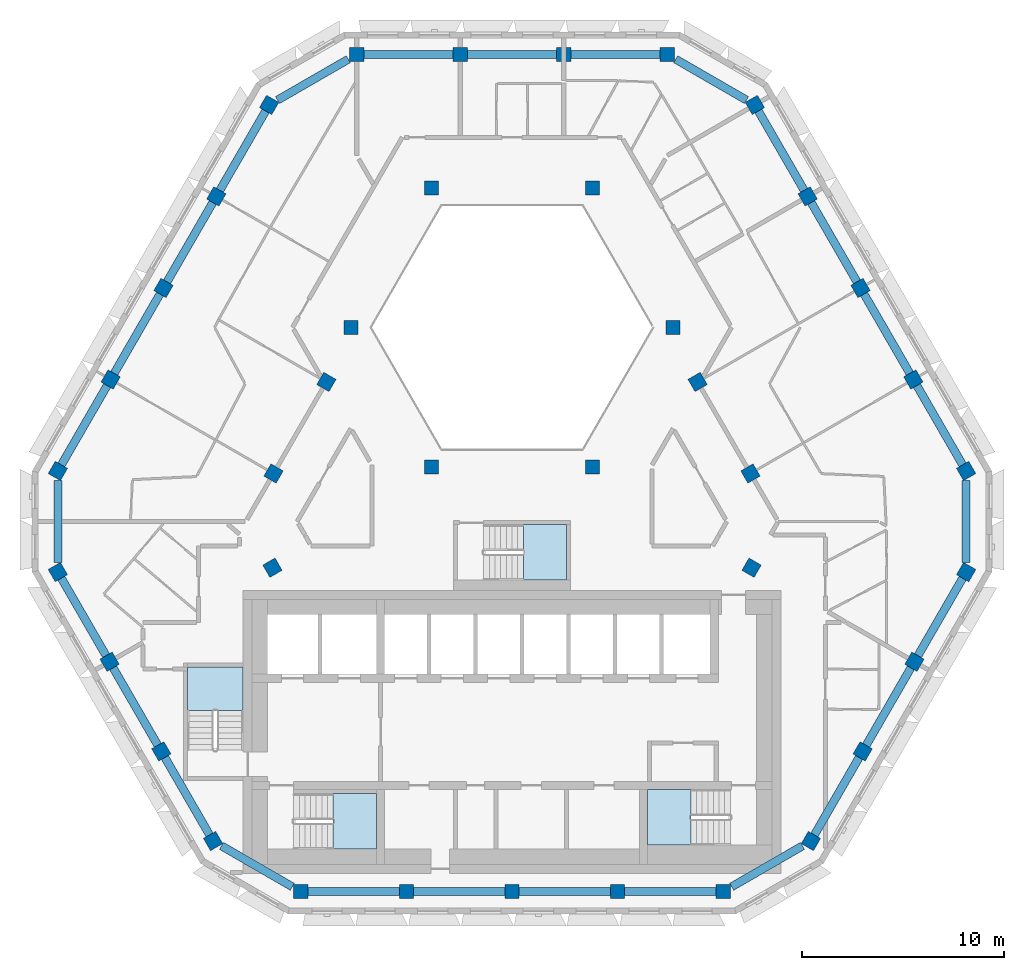
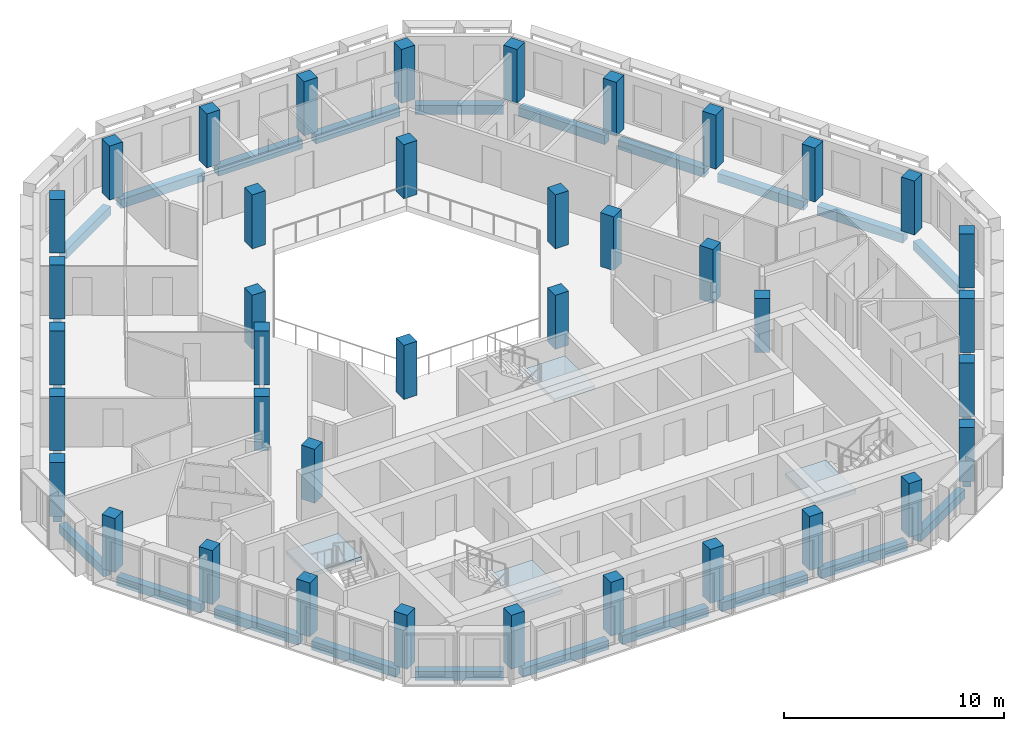
# One storey, part 1 of 16: 39 columns, 27 beams, 4 slabs, 4 elements without a shape of their own.
"""IFC4 building model written with IfcOpenShell, lengths in metres."""

from ifc_helpers import new_model, si_unit, direction, frame, origin, origin_2d, place, context, subcontext, project, spatial, polyline, rectangle, outline, extrude, material, layer, layer_set, material_profile, profile_set, type_object, element, aggregate, save


model = new_model("IFC4")

# Units and contexts
model_context = context("Model", 3, precision=1e-05, world=origin(), true_north=direction((0.0, 1.0)))
body_context = subcontext(model_context, "Body", "Model", "MODEL_VIEW")
ifc_project = project(units=[si_unit("LENGTHUNIT", "METRE"), si_unit("AREAUNIT", "SQUARE_METRE"), si_unit("VOLUMEUNIT", "CUBIC_METRE"), si_unit("PLANEANGLEUNIT", "RADIAN"), si_unit("MASSUNIT", "GRAM", prefix="KILO")], contexts=[model_context])

# Site, building, storey
site_placement = place(None, origin())
site = spatial("IfcSite", under=ifc_project, at=site_placement, CompositionType="ELEMENT")
building_placement = place(site_placement, origin())
building = spatial("IfcBuilding", under=site, at=building_placement, Name="Beryl Residences", CompositionType="ELEMENT")
storey_placement = place(building_placement, frame((0.0, 0.0, 220.800048828125)))
storey = spatial("IfcBuildingStorey", under=building, at=storey_placement, Name="L68", CompositionType="ELEMENT", Elevation=220.800048828125)

# Columns
ifc_material_1 = material(Name="Concrete C50/60", Category="concrete")
ifc_material_profile_1 = material_profile(ifc_material_1, rectangle(XDim=0.699951171875, YDim=0.699951171875, at=origin_2d()))
ifc_profile_set_1 = profile_set([ifc_material_profile_1], Name="Concrete C50/60")
column_type_1 = type_object("IfcColumnType", Name="C5 tube column 700 x 700 C50/60", PredefinedType="COLUMN", material=ifc_profile_set_1)
for number, where, z_axis, x_axis, name in (
    (1, (7.678955078125, 21.5, 0.0), (0.0, 0.0, 1.0), (-1.0, 0.0, 0.0), "C5-N1 L68"),
    (2, (2.56005859375, 21.5, 0.0), (0.0, 0.0, 1.0), (-1.0, 0.0, 0.0), "C5-N2 L68"),
    (3, (-2.55908203125, 21.5, 0.0), (0.0, 0.0, 1.0), (-1.0, 0.0, 0.0), "C5-N3 L68"),
    (4, (-7.677978515625, 21.5, 0.0), (0.0, 0.0, 1.0), (-1.0, 0.0, 0.0), "C5-N4 L68"),
    (5, (-12.009033203125, 19.0, 0.0), (0.0, 0.0, 1.0), (-0.499969769706, -0.866042856549, 0.0), "C5-NW1 L68"),
    (6, (-14.62109375, 14.47509765625, 0.0), (0.0, 0.0, 1.0), (-0.499969769706, -0.866042856549, 0.0), "C5-NW2 L68"),
    (7, (-17.23291015625, 9.949951171875, 0.0), (0.0, 0.0, 1.0), (-0.499969769706, -0.866042856549, 0.0), "C5-NW3 L68"),
    (8, (-19.845947265625, 5.425048828125, 0.0), (0.0, 0.0, 1.0), (-0.499969769706, -0.866042856549, 0.0), "C5-NW4 L68"),
    (9, (-22.4580078125, 0.89990234375, 0.0), (0.0, 0.0, 1.0), (-0.499969769706, -0.866042856549, 0.0), "C5-NW5 L68"),
    (10, (-22.458984375, -4.10009765625, 0.0), (0.0, 0.0, 1.0), (0.499984884929, -0.866034130299, 0.0), "C5-SW1 L68"),
    (11, (-19.89892578125, -8.532958984375, 0.0), (0.0, 0.0, 1.0), (0.499984884929, -0.866034130299, 0.0), "C5-SW2 L68"),
    (12, (-17.340087890625, -12.966064453125, 0.0), (0.0, 0.0, 1.0), (0.499984884929, -0.866034130299, 0.0), "C5-SW3 L68"),
    (13, (-14.781005859375, -17.39892578125, 0.0), (0.0, 0.0, 1.0), (0.499984884929, -0.866034130299, 0.0), "C5-SW4 L68"),
    (14, (-10.449951171875, -19.89990234375, 0.0), (0.0, 0.0, 1.0), (1.0, 0.0, 0.0), "C5-S1 L68"),
    (15, (-5.22509765625, -19.89990234375, 0.0), (0.0, 0.0, 1.0), (1.0, 0.0, 0.0), "C5-S2 L68"),
    (16, (0.0, -19.89990234375, 0.0), (0.0, 0.0, 1.0), (1.0, 0.0, 0.0), "C5-S3 L68"),
    (17, (5.22509765625, -19.89990234375, 0.0), (0.0, 0.0, 1.0), (1.0, 0.0, 0.0), "C5-S4 L68"),
    (18, (10.449951171875, -19.89990234375, 0.0), (0.0, 0.0, 1.0), (1.0, 0.0, 0.0), "C5-S5 L68"),
    (19, (14.780029296875, -17.39990234375, 0.0), (0.0, 0.0, 1.0), (0.499984884929, 0.866034130299, 0.0), "C5-SE1 L68"),
    (20, (17.339111328125, -12.967041015625, 0.0), (0.0, 0.0, 1.0), (0.499984884929, 0.866034130299, 0.0), "C5-SE2 L68"),
    (21, (19.89892578125, -8.533935546875, 0.0), (0.0, 0.0, 1.0), (0.499984884929, 0.866034130299, 0.0), "C5-SE3 L68"),
    (22, (22.4580078125, -4.10107421875, 0.0), (0.0, 0.0, 1.0), (0.499984884929, 0.866034130299, 0.0), "C5-SE4 L68"),
    (23, (22.4580078125, 0.89990234375, 0.0), (0.0, 0.0, 1.0), (-0.499969769706, 0.866042856549, 0.0), "C5-NE1 L68"),
    (24, (19.845947265625, 5.425048828125, 0.0), (0.0, 0.0, 1.0), (-0.499969769706, 0.866042856549, 0.0), "C5-NE2 L68"),
    (25, (17.23291015625, 9.949951171875, 0.0), (0.0, 0.0, 1.0), (-0.499969769706, 0.866042856549, 0.0), "C5-NE3 L68"),
    (26, (14.62109375, 14.47509765625, 0.0), (0.0, 0.0, 1.0), (-0.499969769706, 0.866042856549, 0.0), "C5-NE4 L68"),
    (27, (12.009033203125, 19.0, 0.0), (0.0, 0.0, 1.0), (-0.499969769706, 0.866042856549, 0.0), "C5-NE5 L68"),
):
    element("IfcColumn", number, at=place(storey_placement, frame(where, z_axis=z_axis, x_axis=x_axis)), inside=storey, type_object=column_type_1, Name=name, PredefinedType="COLUMN", context=body_context, shape_type="SweptSolid", body=[
        extrude(rectangle(XDim=0.699951171875, YDim=0.699951171875, at=origin_2d()), origin(), (0.0, 0.0, 1.0), 3.0),
    ])
ifc_material_2 = material(Name="Concrete C50/60", Category="concrete")
ifc_material_profile_2 = material_profile(ifc_material_2, rectangle(XDim=0.699951171875, YDim=0.699951171875, at=origin_2d()))
ifc_profile_set_2 = profile_set([ifc_material_profile_2], Name="Concrete C50/60")
column_type_2 = type_object("IfcColumnType", Name="IC5 interior column 700 x 700 C50/60", PredefinedType="COLUMN", material=ifc_profile_set_2)
for number, where, z_axis, x_axis, name in (
    (28, (-11.844970703125, -3.883056640625, 0.0), (0.0, 0.0, 1.0), (0.499984884929, -0.866034130299, 0.0), "IC5-M01 L68"),
    (29, (11.844970703125, -3.884033203125, 0.0), (0.0, 0.0, 1.0), (0.499984884929, 0.866034130299, 0.0), "IC5-M02 L68"),
    (30, (11.7919921875, 0.77490234375, 0.0), (0.0, 0.0, 1.0), (-0.499969769706, 0.866042856549, 0.0), "IC5-M03 L68"),
    (31, (3.98388671875, 1.10009765625, 0.0), (0.0, 0.0, 1.0), (1.0, 0.0, 0.0), "IC5-A04 L68"),
    (32, (9.178955078125, 5.300048828125, 0.0), (0.0, 0.0, 1.0), (-0.499969769706, 0.866042856549, 0.0), "IC5-M05 L68"),
    (33, (7.967041015625, 8.0, 0.0), (0.0, 0.0, 1.0), (1.0, 0.0, 0.0), "IC5-A06 L68"),
    (34, (3.98388671875, 14.89990234375, 0.0), (0.0, 0.0, 1.0), (1.0, 0.0, 0.0), "IC5-A07 L68"),
    (35, (-3.98388671875, 14.89990234375, 0.0), (0.0, 0.0, 1.0), (1.0, 0.0, 0.0), "IC5-A08 L68"),
    (36, (-7.967041015625, 8.0, 0.0), (0.0, 0.0, 1.0), (1.0, 0.0, 0.0), "IC5-A09 L68"),
    (37, (-9.178955078125, 5.300048828125, 0.0), (0.0, 0.0, 1.0), (-0.499969769706, -0.866042856549, 0.0), "IC5-M10 L68"),
    (38, (-3.98388671875, 1.10009765625, 0.0), (0.0, 0.0, 1.0), (1.0, 0.0, 0.0), "IC5-A11 L68"),
    (39, (-11.7919921875, 0.77490234375, 0.0), (0.0, 0.0, 1.0), (-0.499969769706, -0.866042856549, 0.0), "IC5-M12 L68"),
):
    element("IfcColumn", number, at=place(storey_placement, frame(where, z_axis=z_axis, x_axis=x_axis)), inside=storey, type_object=column_type_2, Name=name, PredefinedType="COLUMN", context=body_context, shape_type="SweptSolid", body=[
        extrude(rectangle(XDim=0.699951171875, YDim=0.699951171875, at=origin_2d()), origin(), (0.0, 0.0, 1.0), 3.0),
    ])

# Beams
ifc_material_3 = material(Name="Concrete C50/60", Category="concrete")
ifc_material_profile_3 = material_profile(ifc_material_3, rectangle(XDim=0.39990234375, YDim=0.5, at=origin_2d()))
ifc_profile_set_3 = profile_set([ifc_material_profile_3], Name="Concrete C50/60")
beam_type = type_object("IfcBeamType", Name="SB5 spandrel beam 400 x 500 C50/60", PredefinedType="SPANDREL", material=ifc_profile_set_3)
beam_1_placement = place(storey_placement, frame((7.3291015625, 21.5, -0.550048828125), z_axis=(-1.0, 0.0, 0.0), x_axis=(0.0, -1.0, 0.0)))
element("IfcBeam", 40, at=beam_1_placement, inside=storey, type_object=beam_type, Name="SB5 L68 N-0", PredefinedType="SPANDREL", context=body_context, shape_type="SweptSolid", body=[
    extrude(rectangle(XDim=0.39990234375, YDim=0.5, at=origin_2d()), origin(), (0.0, 0.0, 1.0), 4.419189453125),
])
for number, where, z_axis, x_axis, name in (
    (41, (2.2099609375, 21.5, -0.550048828125), (-1.0, 0.0, 0.0), (0.0, -1.0, 0.0), "SB5 L68 N-1"),
    (42, (-2.908935546875, 21.5, -0.550048828125), (-1.0, 0.0, 0.0), (0.0, -1.0, 0.0), "SB5 L68 N-2"),
):
    element("IfcBeam", number, at=place(storey_placement, frame(where, z_axis=z_axis, x_axis=x_axis)), inside=storey, type_object=beam_type, Name=name, PredefinedType="SPANDREL", context=body_context, shape_type="SweptSolid", body=[
        extrude(rectangle(XDim=0.39990234375, YDim=0.5, at=origin_2d()), origin(), (0.0, 0.0, 1.0), 4.4189453125),
    ])
beam_2_placement = place(storey_placement, frame((-8.092041015625, 21.260986328125, -0.550048828125), z_axis=(-0.866073013527, -0.499917528438, 0.0), x_axis=(0.499917528438, -0.866073013527, 0.0)))
element("IfcBeam", 43, at=beam_2_placement, inside=storey, type_object=beam_type, Name="SB5 L68 N-3", PredefinedType="SPANDREL", context=body_context, shape_type="SweptSolid", body=[
    extrude(rectangle(XDim=0.39990234375, YDim=0.5, at=origin_2d()), origin(), (0.0, 0.0, 1.0), 4.044677734375),
])
beam_3_placement = place(storey_placement, frame((-12.18408203125, 18.697021484375, -0.550048828125), z_axis=(-0.499893710643, -0.866086761277, 0.0), x_axis=(0.866086761277, -0.499893710643, 0.0)))
element("IfcBeam", 44, at=beam_3_placement, inside=storey, type_object=beam_type, Name="SB5 L68 NW-0", PredefinedType="SPANDREL", context=body_context, shape_type="SweptSolid", body=[
    extrude(rectangle(XDim=0.39990234375, YDim=0.5, at=origin_2d()), origin(), (0.0, 0.0, 1.0), 4.52490234375),
])
beam_4_placement = place(storey_placement, frame((-14.7958984375, 14.172119140625, -0.550048828125), z_axis=(-0.499910821401, -0.866076884951, 0.0), x_axis=(0.866076884951, -0.499910821401, 0.0)))
element("IfcBeam", 45, at=beam_4_placement, inside=storey, type_object=beam_type, Name="SB5 L68 NW-1", PredefinedType="SPANDREL", context=body_context, shape_type="SweptSolid", body=[
    extrude(rectangle(XDim=0.39990234375, YDim=0.5, at=origin_2d()), origin(), (0.0, 0.0, 1.0), 4.525146484375),
])
beam_5_placement = place(storey_placement, frame((-17.407958984375, 9.64697265625, -0.550048828125), z_axis=(-0.500055572588, -0.865993316558, 0.0), x_axis=(0.865993316558, -0.500055572588, 0.0)))
element("IfcBeam", 46, at=beam_5_placement, inside=storey, type_object=beam_type, Name="SB5 L68 NW-2", PredefinedType="SPANDREL", context=body_context, shape_type="SweptSolid", body=[
    extrude(rectangle(XDim=0.39990234375, YDim=0.5, at=origin_2d()), origin(), (0.0, 0.0, 1.0), 4.525390625),
])
beam_6_placement = place(storey_placement, frame((-20.02099609375, 5.1220703125, -0.550048828125), z_axis=(-0.499870351634, -0.866100243365, 0.0), x_axis=(0.866100243365, -0.499870351634, 0.0)))
element("IfcBeam", 47, at=beam_6_placement, inside=storey, type_object=beam_type, Name="SB5 L68 NW-3", PredefinedType="SPANDREL", context=body_context, shape_type="SweptSolid", body=[
    extrude(rectangle(XDim=0.39990234375, YDim=0.5, at=origin_2d()), origin(), (0.0, 0.0, 1.0), 4.525146484375),
])
beam_7_placement = place(storey_placement, frame((-22.4580078125, 0.422119140625, -0.550048828125), z_axis=(-0.000241472978, -0.999999970845, 0.0), x_axis=(0.999999970845, -0.000241472978, 0.0)))
element("IfcBeam", 48, at=beam_7_placement, inside=storey, type_object=beam_type, Name="SB5 L68 NW-4", PredefinedType="SPANDREL", context=body_context, shape_type="SweptSolid", body=[
    extrude(rectangle(XDim=0.39990234375, YDim=0.5, at=origin_2d()), origin(), (0.0, 0.0, 1.0), 4.044189453125),
])
beam_8_placement = place(storey_placement, frame((-22.283935546875, -4.403076171875, -0.550048828125), z_axis=(0.500084296963, -0.86597672944, 0.0), x_axis=(0.86597672944, 0.500084296963, 0.0)))
element("IfcBeam", 49, at=beam_8_placement, inside=storey, type_object=beam_type, Name="SB5 L68 SW-0", PredefinedType="SPANDREL", context=body_context, shape_type="SweptSolid", body=[
    extrude(rectangle(XDim=0.39990234375, YDim=0.5, at=origin_2d()), origin(), (0.0, 0.0, 1.0), 4.419189453125),
])
beam_9_placement = place(storey_placement, frame((-19.72412109375, -8.8359375, -0.550048828125), z_axis=(0.49993607075, -0.866062310208, 0.0), x_axis=(0.866062310208, 0.49993607075, 0.0)))
element("IfcBeam", 50, at=beam_9_placement, inside=storey, type_object=beam_type, Name="SB5 L68 SW-1", PredefinedType="SPANDREL", context=body_context, shape_type="SweptSolid", body=[
    extrude(rectangle(XDim=0.39990234375, YDim=0.5, at=origin_2d()), origin(), (0.0, 0.0, 1.0), 4.4189453125),
])
beam_10_placement = place(storey_placement, frame((-17.1650390625, -13.26904296875, -0.550048828125), z_axis=(0.499918550948, -0.86607242331, 0.0), x_axis=(0.86607242331, 0.499918550948, 0.0)))
element("IfcBeam", 51, at=beam_10_placement, inside=storey, type_object=beam_type, Name="SB5 L68 SW-2", PredefinedType="SPANDREL", context=body_context, shape_type="SweptSolid", body=[
    extrude(rectangle(XDim=0.39990234375, YDim=0.5, at=origin_2d()), origin(), (0.0, 0.0, 1.0), 4.418701171875),
])
beam_11_placement = place(storey_placement, frame((-14.366943359375, -17.637939453125, -0.550048828125), z_axis=(0.865968468779, -0.500098601359, 0.0), x_axis=(0.500098601359, 0.865968468779, 0.0)))
element("IfcBeam", 52, at=beam_11_placement, inside=storey, type_object=beam_type, Name="SB5 L68 SW-3", PredefinedType="SPANDREL", context=body_context, shape_type="SweptSolid", body=[
    extrude(rectangle(XDim=0.39990234375, YDim=0.5, at=origin_2d()), origin(), (0.0, 0.0, 1.0), 4.045166015625),
])
beam_12_placement = place(storey_placement, frame((-10.10009765625, -19.89990234375, -0.550048828125), z_axis=(1.0, 0.0, 0.0), x_axis=(0.0, 1.0, 0.0)))
element("IfcBeam", 53, at=beam_12_placement, inside=storey, type_object=beam_type, Name="SB5 L68 S-0", PredefinedType="SPANDREL", context=body_context, shape_type="SweptSolid", body=[
    extrude(rectangle(XDim=0.39990234375, YDim=0.5, at=origin_2d()), origin(), (0.0, 0.0, 1.0), 4.525146484375),
])
for number, where, z_axis, x_axis, name in (
    (54, (-4.875, -19.89990234375, -0.550048828125), (1.0, 0.0, 0.0), (0.0, 1.0, 0.0), "SB5 L68 S-1"),
    (55, (0.35009765625, -19.89990234375, -0.550048828125), (1.0, 0.0, 0.0), (0.0, 1.0, 0.0), "SB5 L68 S-2"),
):
    element("IfcBeam", number, at=place(storey_placement, frame(where, z_axis=z_axis, x_axis=x_axis)), inside=storey, type_object=beam_type, Name=name, PredefinedType="SPANDREL", context=body_context, shape_type="SweptSolid", body=[
        extrude(rectangle(XDim=0.39990234375, YDim=0.5, at=origin_2d()), origin(), (0.0, 0.0, 1.0), 4.52490234375),
    ])
beam_13_placement = place(storey_placement, frame((5.574951171875, -19.89990234375, -0.550048828125), z_axis=(1.0, 0.0, 0.0), x_axis=(0.0, 1.0, 0.0)))
element("IfcBeam", 56, at=beam_13_placement, inside=storey, type_object=beam_type, Name="SB5 L68 S-3", PredefinedType="SPANDREL", context=body_context, shape_type="SweptSolid", body=[
    extrude(rectangle(XDim=0.39990234375, YDim=0.5, at=origin_2d()), origin(), (0.0, 0.0, 1.0), 4.525146484375),
])
beam_14_placement = place(storey_placement, frame((10.864013671875, -19.660888671875, -0.550048828125), z_axis=(0.866012652573, 0.500022085096, 0.0), x_axis=(-0.500022085096, 0.866012652573, 0.0)))
element("IfcBeam", 57, at=beam_14_placement, inside=storey, type_object=beam_type, Name="SB5 L68 S-4", PredefinedType="SPANDREL", context=body_context, shape_type="SweptSolid", body=[
    extrude(rectangle(XDim=0.39990234375, YDim=0.5, at=origin_2d()), origin(), (0.0, 0.0, 1.0), 4.043701171875),
])
beam_15_placement = place(storey_placement, frame((14.955078125, -17.096923828125, -0.550048828125), z_axis=(0.499918550948, 0.86607242331, 0.0), x_axis=(-0.86607242331, 0.499918550948, 0.0)))
element("IfcBeam", 58, at=beam_15_placement, inside=storey, type_object=beam_type, Name="SB5 L68 SE-0", PredefinedType="SPANDREL", context=body_context, shape_type="SweptSolid", body=[
    extrude(rectangle(XDim=0.39990234375, YDim=0.5, at=origin_2d()), origin(), (0.0, 0.0, 1.0), 4.418701171875),
])
beam_16_placement = place(storey_placement, frame((17.513916015625, -12.6640625, -0.550048828125), z_axis=(0.500101800387, 0.865966621326, 0.0), x_axis=(-0.865966621326, 0.500101800387, 0.0)))
element("IfcBeam", 59, at=beam_16_placement, inside=storey, type_object=beam_type, Name="SB5 L68 SE-1", PredefinedType="SPANDREL", context=body_context, shape_type="SweptSolid", body=[
    extrude(rectangle(XDim=0.39990234375, YDim=0.5, at=origin_2d()), origin(), (0.0, 0.0, 1.0), 4.41943359375),
])
beam_17_placement = place(storey_placement, frame((20.073974609375, -8.23095703125, -0.550048828125), z_axis=(0.499918550948, 0.86607242331, 0.0), x_axis=(-0.86607242331, 0.499918550948, 0.0)))
element("IfcBeam", 60, at=beam_17_placement, inside=storey, type_object=beam_type, Name="SB5 L68 SE-2", PredefinedType="SPANDREL", context=body_context, shape_type="SweptSolid", body=[
    extrude(rectangle(XDim=0.39990234375, YDim=0.5, at=origin_2d()), origin(), (0.0, 0.0, 1.0), 4.418701171875),
])
beam_18_placement = place(storey_placement, frame((22.4580078125, -3.623046875, -0.550048828125), z_axis=(0.0, 1.0, 0.0), x_axis=(-1.0, 0.0, 0.0)))
element("IfcBeam", 61, at=beam_18_placement, inside=storey, type_object=beam_type, Name="SB5 L68 SE-3", PredefinedType="SPANDREL", context=body_context, shape_type="SweptSolid", body=[
    extrude(rectangle(XDim=0.39990234375, YDim=0.5, at=origin_2d()), origin(), (0.0, 0.0, 1.0), 4.045166015625),
])
beam_19_placement = place(storey_placement, frame((22.282958984375, 1.202880859375, -0.550048828125), z_axis=(-0.499870351634, 0.866100243365, 0.0), x_axis=(-0.866100243365, -0.499870351634, 0.0)))
element("IfcBeam", 62, at=beam_19_placement, inside=storey, type_object=beam_type, Name="SB5 L68 NE-0", PredefinedType="SPANDREL", context=body_context, shape_type="SweptSolid", body=[
    extrude(rectangle(XDim=0.39990234375, YDim=0.5, at=origin_2d()), origin(), (0.0, 0.0, 1.0), 4.525146484375),
])
beam_20_placement = place(storey_placement, frame((19.6708984375, 5.72802734375, -0.550048828125), z_axis=(-0.500055572588, 0.865993316558, 0.0), x_axis=(-0.865993316558, -0.500055572588, 0.0)))
element("IfcBeam", 63, at=beam_20_placement, inside=storey, type_object=beam_type, Name="SB5 L68 NE-1", PredefinedType="SPANDREL", context=body_context, shape_type="SweptSolid", body=[
    extrude(rectangle(XDim=0.39990234375, YDim=0.5, at=origin_2d()), origin(), (0.0, 0.0, 1.0), 4.525390625),
])
beam_21_placement = place(storey_placement, frame((17.05810546875, 10.2529296875, -0.550048828125), z_axis=(-0.499910821401, 0.866076884951, 0.0), x_axis=(-0.866076884951, -0.499910821401, 0.0)))
element("IfcBeam", 64, at=beam_21_placement, inside=storey, type_object=beam_type, Name="SB5 L68 NE-2", PredefinedType="SPANDREL", context=body_context, shape_type="SweptSolid", body=[
    extrude(rectangle(XDim=0.39990234375, YDim=0.5, at=origin_2d()), origin(), (0.0, 0.0, 1.0), 4.525146484375),
])
beam_22_placement = place(storey_placement, frame((14.446044921875, 14.778076171875, -0.550048828125), z_axis=(-0.499893710643, 0.866086761277, 0.0), x_axis=(-0.866086761277, -0.499893710643, 0.0)))
element("IfcBeam", 65, at=beam_22_placement, inside=storey, type_object=beam_type, Name="SB5 L68 NE-3", PredefinedType="SPANDREL", context=body_context, shape_type="SweptSolid", body=[
    extrude(rectangle(XDim=0.39990234375, YDim=0.5, at=origin_2d()), origin(), (0.0, 0.0, 1.0), 4.52490234375),
])
beam_23_placement = place(storey_placement, frame((11.594970703125, 19.239013671875, -0.550048828125), z_axis=(-0.866012652573, 0.500022085096, 0.0), x_axis=(-0.500022085096, -0.866012652573, 0.0)))
element("IfcBeam", 66, at=beam_23_placement, inside=storey, type_object=beam_type, Name="SB5 L68 NE-4", PredefinedType="SPANDREL", context=body_context, shape_type="SweptSolid", body=[
    extrude(rectangle(XDim=0.39990234375, YDim=0.5, at=origin_2d()), origin(), (0.0, 0.0, 1.0), 4.043701171875),
])

# Stair, slab
ifc_material_4 = material(Name="Concrete C40/50", Category="concrete")
stair_type = type_object("IfcStairType", Name="ST1 protected exit stair, half-turn, 1300 mm flights", PredefinedType="HALF_TURN_STAIR", material=ifc_material_4)
stair_1_placement = place(storey_placement, origin())
stair_1 = element("IfcStair", 67, at=stair_1_placement, inside=storey, type_object=stair_type, Name="L68 PROTECTED EXIT STAIR ST-1", PredefinedType="HALF_TURN_STAIR")
ifc_material_5 = material(Name="Concrete C40/50", Category="concrete")
ifc_layer = layer(ifc_material_5, 0.199951171875)
ifc_layer_set = layer_set([ifc_layer], Name="SLD1 stair landing 200 mm")
slab_type = type_object("IfcSlabType", Name="SLD1 stair landing 200 mm", PredefinedType="LANDING", material=ifc_layer_set)
slab_1_placement = place(storey_placement, frame((0.0, 0.0, 1.300048828125)))
slab_1 = element("IfcSlab", 68, at=slab_1_placement, type_object=slab_type, Name="ST-1 landing 1", PredefinedType="LANDING", context=body_context, shape_type="SweptSolid", body=[
    extrude(outline(polyline([(-8.840087890625, -17.800048828125), (-6.699951171875, -17.800048828125), (-6.699951171875, -15.050048828125), (-8.840087890625, -15.050048828125), (-8.840087890625, -17.800048828125)])), origin(), (0.0, 0.0, 1.0), 0.199951171875),
])
aggregate(stair_1, [slab_1])

stair_2_placement = place(storey_placement, origin())
stair_2 = element("IfcStair", 69, at=stair_2_placement, inside=storey, type_object=stair_type, Name="L68 PROTECTED EXIT STAIR ST-2", PredefinedType="HALF_TURN_STAIR")
slab_2_placement = place(storey_placement, frame((0.0, 0.0, 1.300048828125)))
slab_2 = element("IfcSlab", 70, at=slab_2_placement, type_object=slab_type, Name="ST-2 landing 1", PredefinedType="LANDING", context=body_context, shape_type="SweptSolid", body=[
    extrude(outline(polyline([(-13.300048828125, -10.93994140625), (-13.300048828125, -8.800048828125), (-16.050048828125, -8.800048828125), (-16.050048828125, -10.93994140625), (-13.300048828125, -10.93994140625)])), origin(), (0.0, 0.0, 1.0), 0.199951171875),
])
aggregate(stair_2, [slab_2])

stair_3_placement = place(storey_placement, origin())
stair_3 = element("IfcStair", 71, at=stair_3_placement, inside=storey, type_object=stair_type, Name="L68 PROTECTED EXIT STAIR ST-3", PredefinedType="HALF_TURN_STAIR")
slab_3_placement = place(storey_placement, frame((0.0, 0.0, 1.300048828125)))
slab_3 = element("IfcSlab", 72, at=slab_3_placement, type_object=slab_type, Name="ST-3 landing 1", PredefinedType="LANDING", context=body_context, shape_type="SweptSolid", body=[
    extrude(outline(polyline([(8.840087890625, -14.85009765625), (6.699951171875, -14.85009765625), (6.699951171875, -17.60009765625), (8.840087890625, -17.60009765625), (8.840087890625, -14.85009765625)])), origin(), (0.0, 0.0, 1.0), 0.199951171875),
])
aggregate(stair_3, [slab_3])

stair_4_placement = place(storey_placement, origin())
stair_4 = element("IfcStair", 73, at=stair_4_placement, inside=storey, type_object=stair_type, Name="L68 PROTECTED EXIT STAIR ST-4", PredefinedType="HALF_TURN_STAIR")
slab_4_placement = place(storey_placement, frame((0.0, 0.0, 1.300048828125)))
slab_4 = element("IfcSlab", 74, at=slab_4_placement, type_object=slab_type, Name="ST-4 landing 1", PredefinedType="LANDING", context=body_context, shape_type="SweptSolid", body=[
    extrude(outline(polyline([(0.56005859375, -4.5), (2.699951171875, -4.5), (2.699951171875, -1.75), (0.56005859375, -1.75), (0.56005859375, -4.5)])), origin(), (0.0, 0.0, 1.0), 0.199951171875),
])
aggregate(stair_4, [slab_4])

save(model, "model.ifc")
